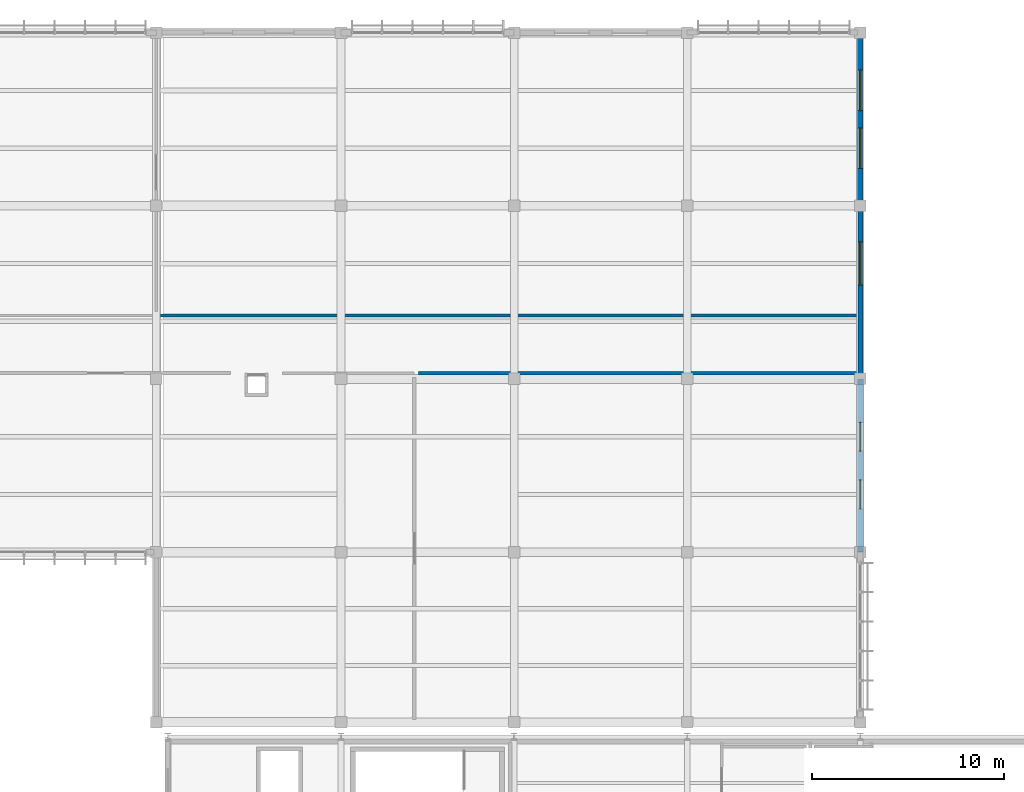
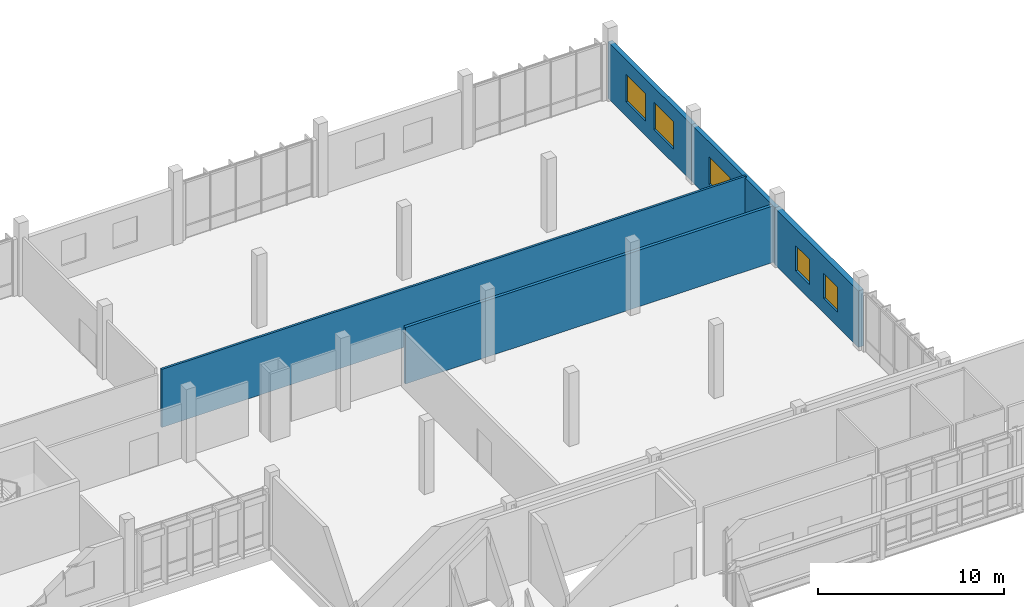
# One storey, part 160 of 177: 5 walls, 5 windows, 5 openings.
"""IFC4 building model written with IfcOpenShell, lengths in metres."""

from ifc_helpers import new_model, si_unit, direction, frame, frame_2d, origin, place, context, subcontext, project, spatial, rectangle, extrude, material, layer, layer_set, type_object, element, fill, save


model = new_model("IFC4")

# Units and contexts
model_context = context("Model", 3, precision=1e-05, world=origin(), true_north=direction((0.0, 1.0)))
body_context = subcontext(model_context, "Body", "Model", "MODEL_VIEW")
ifc_project = project(units=[si_unit("LENGTHUNIT", "METRE"), si_unit("AREAUNIT", "SQUARE_METRE"), si_unit("VOLUMEUNIT", "CUBIC_METRE"), si_unit("PLANEANGLEUNIT", "RADIAN"), si_unit("MASSUNIT", "GRAM", prefix="KILO")], contexts=[model_context])

# Site, building, storey
site_placement = place(None, origin())
site = spatial("IfcSite", under=ifc_project, at=site_placement, CompositionType="ELEMENT")
building_placement = place(site_placement, origin())
building = spatial("IfcBuilding", under=site, at=building_placement, Name="Chiffa Square Polytechnic", CompositionType="ELEMENT")
storey_placement = place(building_placement, frame((0.0, 0.0, 4.800048828125)))
storey = spatial("IfcBuildingStorey", under=building, at=storey_placement, Name="L01", CompositionType="ELEMENT", Elevation=4.800048828125)

# Wall, opening, window
ifc_material_1 = material(Name="Precast concrete C40/50", Category="concrete")
ifc_layer_1 = layer(ifc_material_1, 0.260009765625, Name="Precast concrete C40/50")
ifc_layer_set_1 = layer_set([ifc_layer_1], Name="Precast concrete C40/50")
wall_type_1 = type_object("IfcWallType", Name="WL-EXT-PC260", PredefinedType="SOLIDWALL", material=ifc_layer_set_1)
wall_1_placement = place(storey_placement, frame((148.199951171875, 112.800048828125, 0.0), z_axis=(0.0, 0.0, 1.0), x_axis=(0.0, 1.0, 0.0)))
wall_1 = element("IfcWall", 1, at=wall_1_placement, inside=storey, type_object=wall_type_1, Name="Exterior wall WE-V5-L01-0270", PredefinedType="SOLIDWALL", context=body_context, shape_type="SweptSolid", body=[
    extrude(rectangle(XDim=9.0, YDim=0.260009765625, at=frame_2d((4.5, 0.0))), origin(), (0.0, 0.0, 1.0), 3.71484375),
])
opening_1_placement = place(wall_1_placement, frame((4.875, 0.0, 0.949951171875)))
opening_1 = element("IfcOpeningElement", 2, at=opening_1_placement, cuts=wall_1, Name="Opening W-02", PredefinedType="OPENING", context=body_context, shape_type="SweptSolid", body=[
    extrude(rectangle(XDim=2.25, YDim=1.800048828125, at=frame_2d((1.125, 0.89990234375))), frame((0.0, 0.14013671875, 0.0), z_axis=(0.0, -1.0, 0.0), x_axis=(1.0, 0.0, 0.0)), (0.0, 0.0, 1.0), 0.280029296875),
])
ifc_material_2 = material(Name="Double glazing in thermally broken aluminium frame", Category="aluminium")
window_type_1 = type_object("IfcWindowType", Name="WIN-LAB-2250X1800", PartitioningType="DOUBLE_PANEL_VERTICAL", PredefinedType="WINDOW", material=ifc_material_2)
window_1_placement = place(opening_1_placement, origin())
window_1 = element("IfcWindow", 3, at=window_1_placement, inside=storey, type_object=window_type_1, Name="Facade window WN-L01-0162", OverallHeight=1.800048828125, OverallWidth=2.25, PartitioningType="DOUBLE_PANEL_VERTICAL", PredefinedType="WINDOW", context=body_context, shape_type="SweptSolid", body=[
    extrude(rectangle(XDim=2.25, YDim=1.800048828125, at=frame_2d((1.125, 0.89990234375))), frame((0.0, 0.030029296875, 0.0), z_axis=(0.0, -1.0, 0.0), x_axis=(1.0, 0.0, 0.0)), (0.0, 0.0, 1.0), 0.06005859375),
])
fill(opening_1, window_1)

# Wall, openings, windows
ifc_layer_2 = layer(ifc_material_1, 0.280029296875, Name="Precast concrete C40/50")
ifc_layer_set_2 = layer_set([ifc_layer_2], Name="Precast concrete C40/50")
wall_type_2 = type_object("IfcWallType", Name="WL-EXT-PC280", PredefinedType="SOLIDWALL", material=ifc_layer_set_2)
wall_2_placement = place(storey_placement, frame((148.199951171875, 121.800048828125, 0.0), z_axis=(0.0, 0.0, 1.0), x_axis=(0.0, 1.0, 0.0)))
wall_2 = element("IfcWall", 4, at=wall_2_placement, inside=storey, type_object=wall_type_2, Name="Exterior wall WE-V5-L01-0271", PredefinedType="SOLIDWALL", context=body_context, shape_type="SweptSolid", body=[
    extrude(rectangle(XDim=9.0, YDim=0.280029296875, at=frame_2d((4.5, 0.0))), origin(), (0.0, 0.0, 1.0), 3.71484375),
])
opening_2_placement = place(wall_2_placement, frame((1.949951171875, 0.0, 0.949951171875)))
opening_2 = element("IfcOpeningElement", 5, at=opening_2_placement, cuts=wall_2, Name="Opening W-03", PredefinedType="OPENING", context=body_context, shape_type="SweptSolid", body=[
    extrude(rectangle(XDim=2.10009765625, YDim=1.800048828125, at=frame_2d((1.050048828125, 0.89990234375))), frame((0.0, 0.14990234375, 0.0), z_axis=(0.0, -1.0, 0.0), x_axis=(1.0, 0.0, 0.0)), (0.0, 0.0, 1.0), 0.300048828125),
])
opening_3_placement = place(wall_2_placement, frame((4.949951171875, 0.0, 0.949951171875)))
opening_3 = element("IfcOpeningElement", 6, at=opening_3_placement, cuts=wall_2, Name="Opening W-03", PredefinedType="OPENING", context=body_context, shape_type="SweptSolid", body=[
    extrude(rectangle(XDim=2.10009765625, YDim=1.800048828125, at=frame_2d((1.050048828125, 0.89990234375))), frame((0.0, 0.14990234375, 0.0), z_axis=(0.0, -1.0, 0.0), x_axis=(1.0, 0.0, 0.0)), (0.0, 0.0, 1.0), 0.300048828125),
])
window_type_2 = type_object("IfcWindowType", Name="WIN-LAB-2100X1800", PartitioningType="DOUBLE_PANEL_VERTICAL", PredefinedType="WINDOW", material=ifc_material_2)
window_2_placement = place(opening_2_placement, origin())
window_2 = element("IfcWindow", 7, at=window_2_placement, inside=storey, type_object=window_type_2, Name="Facade window WN-L01-0163", OverallHeight=1.800048828125, OverallWidth=2.10009765625, PartitioningType="DOUBLE_PANEL_VERTICAL", PredefinedType="WINDOW", context=body_context, shape_type="SweptSolid", body=[
    extrude(rectangle(XDim=2.10009765625, YDim=1.800048828125, at=frame_2d((1.050048828125, 0.89990234375))), frame((0.0, 0.030029296875, 0.0), z_axis=(0.0, -1.0, 0.0), x_axis=(1.0, 0.0, 0.0)), (0.0, 0.0, 1.0), 0.06005859375),
])
fill(opening_2, window_2)
window_3_placement = place(opening_3_placement, origin())
window_3 = element("IfcWindow", 8, at=window_3_placement, inside=storey, type_object=window_type_2, Name="Facade window WN-L01-0164", OverallHeight=1.800048828125, OverallWidth=2.10009765625, PartitioningType="DOUBLE_PANEL_VERTICAL", PredefinedType="WINDOW", context=body_context, shape_type="SweptSolid", body=[
    extrude(rectangle(XDim=2.10009765625, YDim=1.800048828125, at=frame_2d((1.050048828125, 0.89990234375))), frame((0.0, 0.030029296875, 0.0), z_axis=(0.0, -1.0, 0.0), x_axis=(1.0, 0.0, 0.0)), (0.0, 0.0, 1.0), 0.06005859375),
])
fill(opening_3, window_3)

ifc_layer_3 = layer(ifc_material_1, 0.320068359375, Name="Precast concrete C40/50")
ifc_layer_set_3 = layer_set([ifc_layer_3], Name="Precast concrete C40/50")
wall_type_3 = type_object("IfcWallType", Name="WL-EXT-PC320", PredefinedType="SOLIDWALL", material=ifc_layer_set_3)
wall_3_placement = place(storey_placement, frame((148.199951171875, 103.800048828125, 0.0), z_axis=(0.0, 0.0, 1.0), x_axis=(0.0, 1.0, 0.0)))
wall_3 = element("IfcWall", 9, at=wall_3_placement, inside=storey, type_object=wall_type_3, Name="Exterior wall WE-V5-L01-0269", PredefinedType="SOLIDWALL", context=body_context, shape_type="SweptSolid", body=[
    extrude(rectangle(XDim=9.0, YDim=0.320068359375, at=frame_2d((4.5, 0.0))), origin(), (0.0, 0.0, 1.0), 3.71484375),
])
opening_4_placement = place(wall_3_placement, frame((2.25, 0.0, 0.949951171875)))
opening_4 = element("IfcOpeningElement", 10, at=opening_4_placement, cuts=wall_3, Name="Opening W-07", PredefinedType="OPENING", context=body_context, shape_type="SweptSolid", body=[
    extrude(rectangle(XDim=1.5, YDim=1.64990234375, at=frame_2d((0.75, 0.824951171875))), frame((0.0, 0.169921875, 0.0), z_axis=(0.0, -1.0, 0.0), x_axis=(1.0, 0.0, 0.0)), (0.0, 0.0, 1.0), 0.340087890625),
])
opening_5_placement = place(wall_3_placement, frame((5.25, 0.0, 0.949951171875)))
opening_5 = element("IfcOpeningElement", 11, at=opening_5_placement, cuts=wall_3, Name="Opening W-07", PredefinedType="OPENING", context=body_context, shape_type="SweptSolid", body=[
    extrude(rectangle(XDim=1.5, YDim=1.64990234375, at=frame_2d((0.75, 0.824951171875))), frame((0.0, 0.169921875, 0.0), z_axis=(0.0, -1.0, 0.0), x_axis=(1.0, 0.0, 0.0)), (0.0, 0.0, 1.0), 0.340087890625),
])
window_type_3 = type_object("IfcWindowType", Name="WIN-LAB-1500X1650", PartitioningType="DOUBLE_PANEL_VERTICAL", PredefinedType="WINDOW", material=ifc_material_2)
window_4_placement = place(opening_4_placement, origin())
window_4 = element("IfcWindow", 12, at=window_4_placement, inside=storey, type_object=window_type_3, Name="Facade window WN-L01-0160", OverallHeight=1.64990234375, OverallWidth=1.5, PartitioningType="DOUBLE_PANEL_VERTICAL", PredefinedType="WINDOW", context=body_context, shape_type="SweptSolid", body=[
    extrude(rectangle(XDim=1.5, YDim=1.64990234375, at=frame_2d((0.75, 0.824951171875))), frame((0.0, 0.030029296875, 0.0), z_axis=(0.0, -1.0, 0.0), x_axis=(1.0, 0.0, 0.0)), (0.0, 0.0, 1.0), 0.06005859375),
])
fill(opening_4, window_4)
window_5_placement = place(opening_5_placement, origin())
window_5 = element("IfcWindow", 13, at=window_5_placement, inside=storey, type_object=window_type_3, Name="Facade window WN-L01-0161", OverallHeight=1.64990234375, OverallWidth=1.5, PartitioningType="DOUBLE_PANEL_VERTICAL", PredefinedType="WINDOW", context=body_context, shape_type="SweptSolid", body=[
    extrude(rectangle(XDim=1.5, YDim=1.64990234375, at=frame_2d((0.75, 0.824951171875))), frame((0.0, 0.030029296875, 0.0), z_axis=(0.0, -1.0, 0.0), x_axis=(1.0, 0.0, 0.0)), (0.0, 0.0, 1.0), 0.06005859375),
])
fill(opening_5, window_5)

# Walls
ifc_material_3 = material(Name="Gypsum board on steel stud", Category="steel")
ifc_layer_4 = layer(ifc_material_3, 0.135009765625, Name="Gypsum board on steel stud")
ifc_layer_set_4 = layer_set([ifc_layer_4], Name="Gypsum board on steel stud")
wall_type_4 = type_object("IfcWallType", Name="WL-PART-135", PredefinedType="PARTITIONING", material=ifc_layer_set_4)
wall_4_placement = place(storey_placement, frame((111.820068359375, 116.10009765625, 0.0), z_axis=(0.0, 0.0, 1.0), x_axis=(1.0, 0.0, 0.0)))
element("IfcWall", 14, at=wall_4_placement, inside=storey, type_object=wall_type_4, Name="Interior partition WP-V5-L01-0358", PredefinedType="PARTITIONING", context=body_context, shape_type="SweptSolid", body=[
    extrude(rectangle(XDim=36.324951171875, YDim=0.135009765625, at=frame_2d((18.16259765625, 0.0))), origin(), (0.0, 0.0, 1.0), 3.81494140625),
])
ifc_material_4 = material(Name="Gypsum board on twin steel stud", Category="steel")
ifc_layer_5 = layer(ifc_material_4, 0.18505859375, Name="Gypsum board on twin steel stud")
ifc_layer_set_5 = layer_set([ifc_layer_5], Name="Gypsum board on twin steel stud")
wall_type_5 = type_object("IfcWallType", Name="WL-PART-EI90-185", PredefinedType="PARTITIONING", material=ifc_layer_set_5)
wall_5_placement = place(storey_placement, frame((125.219970703125, 113.10009765625, 0.0), z_axis=(0.0, 0.0, 1.0), x_axis=(1.0, 0.0, 0.0)))
element("IfcWall", 15, at=wall_5_placement, inside=storey, type_object=wall_type_5, Name="Interior partition WP-V5-L01-0332", PredefinedType="PARTITIONING", context=body_context, shape_type="SweptSolid", body=[
    extrude(rectangle(XDim=22.925048828125, YDim=0.18505859375, at=frame_2d((11.46240234375, 0.0))), origin(), (0.0, 0.0, 1.0), 3.71484375),
])

save(model, "model.ifc")
